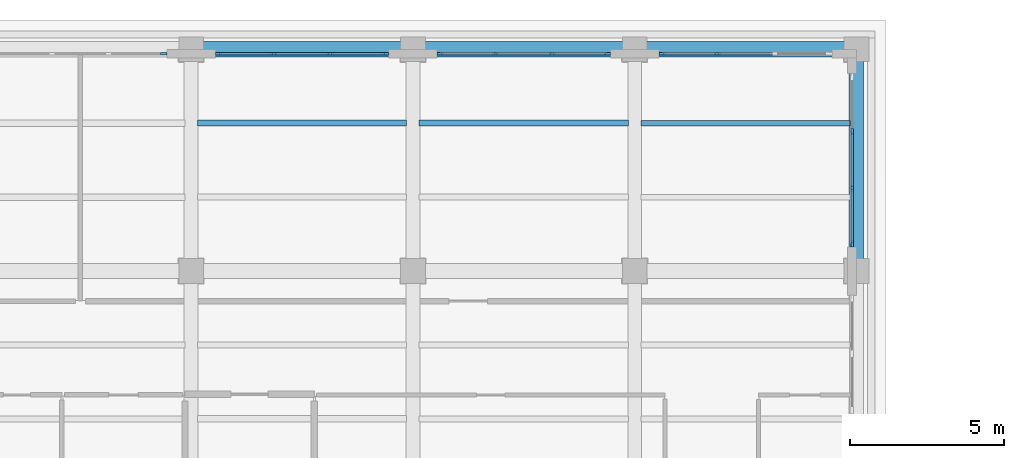
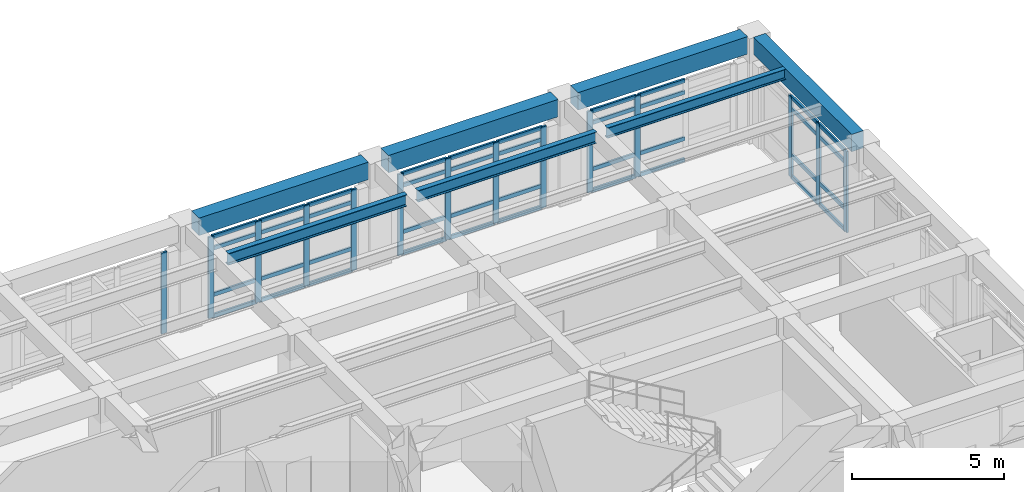
# One storey, part 62 of 98: 54 members, 7 beams, 5 elements without a shape of their own.
"""IFC4 building model written with IfcOpenShell, lengths in metres."""

from ifc_helpers import new_model, si_unit, direction, frame, origin, origin_2d, place, context, subcontext, project, spatial, rectangle, i_section, extrude, material, layer, layer_set, material_profile, profile_set, type_object, element, aggregate, save


model = new_model("IFC4")

# Units and contexts
model_context = context("Model", 3, precision=1e-05, world=origin(), true_north=direction((0.0, 1.0)))
body_context = subcontext(model_context, "Body", "Model", "MODEL_VIEW")
ifc_project = project(units=[si_unit("LENGTHUNIT", "METRE"), si_unit("AREAUNIT", "SQUARE_METRE"), si_unit("VOLUMEUNIT", "CUBIC_METRE"), si_unit("PLANEANGLEUNIT", "RADIAN"), si_unit("MASSUNIT", "GRAM", prefix="KILO")], contexts=[model_context])

# Site, building, storey
site_placement = place(None, origin())
site = spatial("IfcSite", under=ifc_project, at=site_placement, CompositionType="ELEMENT")
building_placement = place(site_placement, origin())
building = spatial("IfcBuilding", under=site, at=building_placement, Name="Solenvale Faculty of Natural Sciences", CompositionType="ELEMENT")
storey_placement = place(building_placement, frame((0.0, 0.0, 9.0)))
storey = spatial("IfcBuildingStorey", under=building, at=storey_placement, Name="L02", CompositionType="ELEMENT", Elevation=9.0)

# Beams
ifc_material_1 = material(Name="Concrete 40 MPa", Category="concrete")
ifc_material_profile_1 = material_profile(ifc_material_1, rectangle(XDim=0.449951171875, YDim=0.699951171875, at=origin_2d()), Name="RC-BM-450x700")
ifc_profile_set_1 = profile_set([ifc_material_profile_1], Name="Concrete 40 MPa")
beam_type_1 = type_object("IfcBeamType", Name="BM-RC-450x700", PredefinedType="BEAM", material=ifc_profile_set_1)
beam_1_placement = place(storey_placement, frame((151.199951171875, 108.3798828125, 3.8701171875), z_axis=(0.0, 1.0, 0.0), x_axis=(-1.0, 0.0, 0.0)))
element("IfcBeam", 1, at=beam_1_placement, inside=storey, type_object=beam_type_1, Name="L02 Y-Girder X151.2 (108.0..115.2)", PredefinedType="BEAM", context=body_context, shape_type="SweptSolid", body=[
    extrude(rectangle(XDim=0.449951171875, YDim=0.699951171875, at=origin_2d()), origin(), (0.0, 0.0, 1.0), 6.440185546875),
])
ifc_material_2 = material(Name="Precast concrete 40 MPa", Category="concrete")
ifc_material_profile_2 = material_profile(ifc_material_2, rectangle(XDim=0.5, YDim=0.699951171875, at=origin_2d()), Name="RC-BM-500x700")
ifc_profile_set_2 = profile_set([ifc_material_profile_2], Name="Precast concrete 40 MPa")
beam_type_2 = type_object("IfcBeamType", Name="BM-SPN-PRC-700", PredefinedType="SPANDREL", material=ifc_profile_set_2)
beam_2_placement = place(storey_placement, frame((129.97998046875, 115.199951171875, 3.8701171875), z_axis=(1.0, 0.0, 0.0), x_axis=(0.0, 1.0, 0.0)))
element("IfcBeam", 2, at=beam_2_placement, inside=storey, type_object=beam_type_2, Name="L02 X-Girder Y115.2 (129.6..136.8)", PredefinedType="SPANDREL", context=body_context, shape_type="SweptSolid", body=[
    extrude(rectangle(XDim=0.5, YDim=0.699951171875, at=origin_2d()), origin(), (0.0, 0.0, 1.0), 6.43994140625),
])
for number, where, z_axis, x_axis, name in (
    (3, (137.179931640625, 115.199951171875, 3.8701171875), (1.0, 0.0, 0.0), (0.0, 1.0, 0.0), "L02 X-Girder Y115.2 (136.8..144.0)"),
    (4, (144.3798828125, 115.199951171875, 3.8701171875), (1.0, 0.0, 0.0), (0.0, 1.0, 0.0), "L02 X-Girder Y115.2 (144.0..151.2)"),
):
    element("IfcBeam", number, at=place(storey_placement, frame(where, z_axis=z_axis, x_axis=x_axis)), inside=storey, type_object=beam_type_2, Name=name, PredefinedType="SPANDREL", context=body_context, shape_type="SweptSolid", body=[
        extrude(rectangle(XDim=0.5, YDim=0.699951171875, at=origin_2d()), origin(), (0.0, 0.0, 1.0), 6.440185546875),
    ])
ifc_material_3 = material(Name="Steel S355", Category="steel")
ifc_material_profile_3 = material_profile(ifc_material_3, i_section(OverallWidth=0.180908203125, OverallDepth=0.4169921875, WebThickness=0.010986328125, FlangeThickness=0.018310546875, FilletRadius=0.01611328125, at=origin_2d()), Name="W410x85")
ifc_profile_set_3 = profile_set([ifc_material_profile_3], Name="Steel S355")
beam_type_3 = type_object("IfcBeamType", Name="BM-STL-W410x85", PredefinedType="JOIST", material=ifc_profile_set_3)
beam_3_placement = place(storey_placement, frame((144.205078125, 112.800048828125, 4.011474609375), z_axis=(1.0, 0.0, 0.0), x_axis=(0.0, 1.0, 0.0)))
element("IfcBeam", 5, at=beam_3_placement, inside=storey, type_object=beam_type_3, Name="L02 Composite Floor Joist (21,16).2", PredefinedType="JOIST", context=body_context, shape_type="SweptSolid", body=[
    extrude(i_section(OverallWidth=0.180908203125, OverallDepth=0.4169921875, WebThickness=0.010986328125, FlangeThickness=0.018310546875, FilletRadius=0.01611328125, at=origin_2d()), origin(), (0.0, 0.0, 1.0), 6.7900390625),
])
ifc_material_profile_4 = material_profile(ifc_material_3, i_section(OverallWidth=0.194091796875, OverallDepth=0.468994140625, WebThickness=0.0126953125, FlangeThickness=0.0205078125, FilletRadius=0.01806640625, at=origin_2d()), Name="W460x106")
ifc_profile_set_4 = profile_set([ifc_material_profile_4], Name="Steel S355")
beam_type_4 = type_object("IfcBeamType", Name="BM-STL-W460x106", PredefinedType="JOIST", material=ifc_profile_set_4)
beam_4_placement = place(storey_placement, frame((129.804931640625, 112.800048828125, 3.985595703125), z_axis=(1.0, 0.0, 0.0), x_axis=(0.0, 1.0, 0.0)))
element("IfcBeam", 6, at=beam_4_placement, inside=storey, type_object=beam_type_4, Name="L02 Composite Floor Joist (19,16).2", PredefinedType="JOIST", context=body_context, shape_type="SweptSolid", body=[
    extrude(i_section(OverallWidth=0.194091796875, OverallDepth=0.468994140625, WebThickness=0.0126953125, FlangeThickness=0.0205078125, FilletRadius=0.01806640625, at=origin_2d()), origin(), (0.0, 0.0, 1.0), 6.7900390625),
])
ifc_material_profile_5 = material_profile(ifc_material_3, i_section(OverallWidth=0.19091796875, OverallDepth=0.4599609375, WebThickness=0.010009765625, FlangeThickness=0.01611328125, FilletRadius=0.01806640625, at=origin_2d()), Name="W460x82")
ifc_profile_set_5 = profile_set([ifc_material_profile_5], Name="Steel S355")
beam_type_5 = type_object("IfcBeamType", Name="BM-STL-W460x82", PredefinedType="JOIST", material=ifc_profile_set_5)
beam_5_placement = place(storey_placement, frame((137.0048828125, 112.800048828125, 3.989990234375), z_axis=(1.0, 0.0, 0.0), x_axis=(0.0, 1.0, 0.0)))
element("IfcBeam", 7, at=beam_5_placement, inside=storey, type_object=beam_type_5, Name="L02 Composite Floor Joist (20,16).2", PredefinedType="JOIST", context=body_context, shape_type="SweptSolid", body=[
    extrude(i_section(OverallWidth=0.19091796875, OverallDepth=0.4599609375, WebThickness=0.010009765625, FlangeThickness=0.01611328125, FilletRadius=0.01806640625, at=origin_2d()), origin(), (0.0, 0.0, 1.0), 6.7900390625),
])

# Curtain wall, members
ifc_material_4 = material(Name="Anodised bronze aluminium", Category="aluminium")
ifc_layer = layer(ifc_material_4, 0.179931640625)
ifc_layer_set = layer_set([ifc_layer], Name="Anodised bronze aluminium")
curtain_wall_type = type_object("IfcCurtainWallType", Name="CW-TWR-MOD", PredefinedType="USERDEFINED", material=ifc_layer_set)
curtain_wall_1_placement = place(storey_placement, origin())
curtain_wall_1 = element("IfcCurtainWall", 8, at=curtain_wall_1_placement, inside=storey, type_object=curtain_wall_type, Name="L02 Curtain Wall CW-L02-P2-E3-B3", ObjectType="UNITISED CURTAIN WALL", PredefinedType="USERDEFINED")
ifc_material_profile_6 = material_profile(ifc_material_4, rectangle(XDim=0.074951171875, YDim=0.2099609375, at=origin_2d()), Name="ALU-MUL-75x210")
ifc_profile_set_6 = profile_set([ifc_material_profile_6], Name="Anodised bronze aluminium")
member_type_1 = type_object("IfcMemberType", Name="CWM-ALU-75x210", PredefinedType="MULLION", material=ifc_profile_set_6)
member_1_placement = place(storey_placement, frame((151.0576171875, 108.887451171875, 0.0), z_axis=(0.0, 0.0, 1.0), x_axis=(-1.0, 0.0, 0.0)))
member_1 = element("IfcMember", 9, at=member_1_placement, type_object=member_type_1, Name="CW-04 mullion 1", PredefinedType="MULLION", context=body_context, shape_type="SweptSolid", body=[
    extrude(rectangle(XDim=0.074951171875, YDim=0.2099609375, at=origin_2d()), origin(), (0.0, 0.0, 1.0), 3.260009765625),
])
member_2_placement = place(storey_placement, frame((151.0576171875, 110.683349609375, 0.0), z_axis=(0.0, 0.0, 1.0), x_axis=(-1.0, 0.0, 0.0)))
member_2 = element("IfcMember", 10, at=member_2_placement, type_object=member_type_1, Name="CW-04 mullion 2", PredefinedType="MULLION", context=body_context, shape_type="SweptSolid", body=[
    extrude(rectangle(XDim=0.074951171875, YDim=0.2099609375, at=origin_2d()), origin(), (0.0, 0.0, 1.0), 3.260009765625),
])
member_3_placement = place(storey_placement, frame((151.0576171875, 112.5166015625, 0.0), z_axis=(0.0, 0.0, 1.0), x_axis=(-1.0, 0.0, 0.0)))
member_3 = element("IfcMember", 11, at=member_3_placement, type_object=member_type_1, Name="CW-04 mullion 3", PredefinedType="MULLION", context=body_context, shape_type="SweptSolid", body=[
    extrude(rectangle(XDim=0.074951171875, YDim=0.2099609375, at=origin_2d()), origin(), (0.0, 0.0, 1.0), 3.260009765625),
])

curtain_wall_2_placement = place(storey_placement, origin())
curtain_wall_2 = element("IfcCurtainWall", 12, at=curtain_wall_2_placement, inside=storey, type_object=curtain_wall_type, Name="L02 Curtain Wall CW-L02-P2-E4-B1", ObjectType="UNITISED CURTAIN WALL", PredefinedType="USERDEFINED")
member_4_placement = place(storey_placement, frame((146.683349609375, 115.0576171875, 0.0), z_axis=(0.0, 0.0, 1.0), x_axis=(0.0, -1.0, 0.0)))
member_4 = element("IfcMember", 13, at=member_4_placement, type_object=member_type_1, Name="CW-04 mullion 3", PredefinedType="MULLION", context=body_context, shape_type="SweptSolid", body=[
    extrude(rectangle(XDim=0.074951171875, YDim=0.2099609375, at=origin_2d()), origin(), (0.0, 0.0, 1.0), 3.260009765625),
])
member_5_placement = place(storey_placement, frame((144.887451171875, 115.0576171875, 0.0), z_axis=(0.0, 0.0, 1.0), x_axis=(0.0, -1.0, 0.0)))
member_5 = element("IfcMember", 14, at=member_5_placement, type_object=member_type_1, Name="CW-04 mullion 4", PredefinedType="MULLION", context=body_context, shape_type="SweptSolid", body=[
    extrude(rectangle(XDim=0.074951171875, YDim=0.2099609375, at=origin_2d()), origin(), (0.0, 0.0, 1.0), 3.260009765625),
])

curtain_wall_3_placement = place(storey_placement, origin())
curtain_wall_3 = element("IfcCurtainWall", 15, at=curtain_wall_3_placement, inside=storey, type_object=curtain_wall_type, Name="L02 Curtain Wall CW-L02-P2-E4-B2", ObjectType="UNITISED CURTAIN WALL", PredefinedType="USERDEFINED")
member_6_placement = place(storey_placement, frame((143.112548828125, 115.0576171875, 0.0), z_axis=(0.0, 0.0, 1.0), x_axis=(0.0, -1.0, 0.0)))
member_6 = element("IfcMember", 16, at=member_6_placement, type_object=member_type_1, Name="CW-04 mullion 1", PredefinedType="MULLION", context=body_context, shape_type="SweptSolid", body=[
    extrude(rectangle(XDim=0.074951171875, YDim=0.2099609375, at=origin_2d()), origin(), (0.0, 0.0, 1.0), 3.260009765625),
])
member_7_placement = place(storey_placement, frame((141.316650390625, 115.0576171875, 0.0), z_axis=(0.0, 0.0, 1.0), x_axis=(0.0, -1.0, 0.0)))
member_7 = element("IfcMember", 17, at=member_7_placement, type_object=member_type_1, Name="CW-04 mullion 2", PredefinedType="MULLION", context=body_context, shape_type="SweptSolid", body=[
    extrude(rectangle(XDim=0.074951171875, YDim=0.2099609375, at=origin_2d()), origin(), (0.0, 0.0, 1.0), 3.260009765625),
])
member_8_placement = place(storey_placement, frame((139.4833984375, 115.0576171875, 0.0), z_axis=(0.0, 0.0, 1.0), x_axis=(0.0, -1.0, 0.0)))
member_8 = element("IfcMember", 18, at=member_8_placement, type_object=member_type_1, Name="CW-04 mullion 3", PredefinedType="MULLION", context=body_context, shape_type="SweptSolid", body=[
    extrude(rectangle(XDim=0.074951171875, YDim=0.2099609375, at=origin_2d()), origin(), (0.0, 0.0, 1.0), 3.260009765625),
])
member_9_placement = place(storey_placement, frame((137.6875, 115.0576171875, 0.0), z_axis=(0.0, 0.0, 1.0), x_axis=(0.0, -1.0, 0.0)))
member_9 = element("IfcMember", 19, at=member_9_placement, type_object=member_type_1, Name="CW-04 mullion 4", PredefinedType="MULLION", context=body_context, shape_type="SweptSolid", body=[
    extrude(rectangle(XDim=0.074951171875, YDim=0.2099609375, at=origin_2d()), origin(), (0.0, 0.0, 1.0), 3.260009765625),
])

curtain_wall_4_placement = place(storey_placement, origin())
curtain_wall_4 = element("IfcCurtainWall", 20, at=curtain_wall_4_placement, inside=storey, type_object=curtain_wall_type, Name="L02 Curtain Wall CW-L02-P2-E4-B3", ObjectType="UNITISED CURTAIN WALL", PredefinedType="USERDEFINED")
member_10_placement = place(storey_placement, frame((135.91259765625, 115.0576171875, 0.0), z_axis=(0.0, 0.0, 1.0), x_axis=(0.0, -1.0, 0.0)))
member_10 = element("IfcMember", 21, at=member_10_placement, type_object=member_type_1, Name="CW-04 mullion 1", PredefinedType="MULLION", context=body_context, shape_type="SweptSolid", body=[
    extrude(rectangle(XDim=0.074951171875, YDim=0.2099609375, at=origin_2d()), origin(), (0.0, 0.0, 1.0), 3.260009765625),
])
member_11_placement = place(storey_placement, frame((134.11669921875, 115.0576171875, 0.0), z_axis=(0.0, 0.0, 1.0), x_axis=(0.0, -1.0, 0.0)))
member_11 = element("IfcMember", 22, at=member_11_placement, type_object=member_type_1, Name="CW-04 mullion 2", PredefinedType="MULLION", context=body_context, shape_type="SweptSolid", body=[
    extrude(rectangle(XDim=0.074951171875, YDim=0.2099609375, at=origin_2d()), origin(), (0.0, 0.0, 1.0), 3.260009765625),
])
member_12_placement = place(storey_placement, frame((132.283447265625, 115.0576171875, 0.0), z_axis=(0.0, 0.0, 1.0), x_axis=(0.0, -1.0, 0.0)))
member_12 = element("IfcMember", 23, at=member_12_placement, type_object=member_type_1, Name="CW-04 mullion 3", PredefinedType="MULLION", context=body_context, shape_type="SweptSolid", body=[
    extrude(rectangle(XDim=0.074951171875, YDim=0.2099609375, at=origin_2d()), origin(), (0.0, 0.0, 1.0), 3.260009765625),
])
member_13_placement = place(storey_placement, frame((130.487548828125, 115.0576171875, 0.0), z_axis=(0.0, 0.0, 1.0), x_axis=(0.0, -1.0, 0.0)))
member_13 = element("IfcMember", 24, at=member_13_placement, type_object=member_type_1, Name="CW-04 mullion 4", PredefinedType="MULLION", context=body_context, shape_type="SweptSolid", body=[
    extrude(rectangle(XDim=0.074951171875, YDim=0.2099609375, at=origin_2d()), origin(), (0.0, 0.0, 1.0), 3.260009765625),
])

# Curtain wall, member
curtain_wall_5_placement = place(storey_placement, origin())
curtain_wall_5 = element("IfcCurtainWall", 25, at=curtain_wall_5_placement, inside=storey, type_object=curtain_wall_type, Name="L02 Curtain Wall CW-L02-P2-E4-B4", ObjectType="UNITISED CURTAIN WALL", PredefinedType="USERDEFINED")
member_14_placement = place(storey_placement, frame((128.71240234375, 115.0576171875, 0.0), z_axis=(0.0, 0.0, 1.0), x_axis=(0.0, -1.0, 0.0)))
member_14 = element("IfcMember", 26, at=member_14_placement, type_object=member_type_1, Name="CW-04 mullion 1", PredefinedType="MULLION", context=body_context, shape_type="SweptSolid", body=[
    extrude(rectangle(XDim=0.074951171875, YDim=0.2099609375, at=origin_2d()), origin(), (0.0, 0.0, 1.0), 3.260009765625),
])
aggregate(curtain_wall_5, [member_14])

# Member
ifc_material_profile_7 = material_profile(ifc_material_4, rectangle(XDim=0.074951171875, YDim=0.155029296875, at=origin_2d()), Name="ALU-TRN-75x155")
ifc_profile_set_7 = profile_set([ifc_material_profile_7], Name="Anodised bronze aluminium")
member_type_2 = type_object("IfcMemberType", Name="CWT-ALU-75x155", PredefinedType="USERDEFINED", material=ifc_profile_set_7)
member_15_placement = place(storey_placement, frame((151.0576171875, 108.925048828125, 0.03759765625), z_axis=(0.0, 1.0, 0.0), x_axis=(-1.0, 0.0, 0.0)))
member_15 = element("IfcMember", 27, at=member_15_placement, type_object=member_type_2, Name="CW-04 transom 1.1", ObjectType="TRANSOM", PredefinedType="USERDEFINED", context=body_context, shape_type="SweptSolid", body=[
    extrude(rectangle(XDim=0.074951171875, YDim=0.155029296875, at=origin_2d()), origin(), (0.0, 0.0, 1.0), 1.720703125),
])

member_16_placement = place(storey_placement, frame((151.0576171875, 108.925048828125, 0.89990234375), z_axis=(0.0, 1.0, 0.0), x_axis=(-1.0, 0.0, 0.0)))
member_16 = element("IfcMember", 28, at=member_16_placement, type_object=member_type_2, Name="CW-04 transom 1.2", ObjectType="TRANSOM", PredefinedType="USERDEFINED", context=body_context, shape_type="SweptSolid", body=[
    extrude(rectangle(XDim=0.074951171875, YDim=0.155029296875, at=origin_2d()), origin(), (0.0, 0.0, 1.0), 1.720703125),
])

member_17_placement = place(storey_placement, frame((151.0576171875, 108.925048828125, 2.760009765625), z_axis=(0.0, 1.0, 0.0), x_axis=(-1.0, 0.0, 0.0)))
member_17 = element("IfcMember", 29, at=member_17_placement, type_object=member_type_2, Name="CW-04 transom 1.3", ObjectType="TRANSOM", PredefinedType="USERDEFINED", context=body_context, shape_type="SweptSolid", body=[
    extrude(rectangle(XDim=0.074951171875, YDim=0.155029296875, at=origin_2d()), origin(), (0.0, 0.0, 1.0), 1.720703125),
])

member_18_placement = place(storey_placement, frame((151.0576171875, 108.925048828125, 3.222412109375), z_axis=(0.0, 1.0, 0.0), x_axis=(-1.0, 0.0, 0.0)))
member_18 = element("IfcMember", 30, at=member_18_placement, type_object=member_type_2, Name="CW-04 transom 1.4", ObjectType="TRANSOM", PredefinedType="USERDEFINED", context=body_context, shape_type="SweptSolid", body=[
    extrude(rectangle(XDim=0.074951171875, YDim=0.155029296875, at=origin_2d()), origin(), (0.0, 0.0, 1.0), 1.720703125),
])

member_19_placement = place(storey_placement, frame((151.0576171875, 110.720947265625, 0.03759765625), z_axis=(0.0, 1.0, 0.0), x_axis=(-1.0, 0.0, 0.0)))
member_19 = element("IfcMember", 31, at=member_19_placement, type_object=member_type_2, Name="CW-04 transom 2.1", ObjectType="TRANSOM", PredefinedType="USERDEFINED", context=body_context, shape_type="SweptSolid", body=[
    extrude(rectangle(XDim=0.074951171875, YDim=0.155029296875, at=origin_2d()), origin(), (0.0, 0.0, 1.0), 1.75830078125),
])

member_20_placement = place(storey_placement, frame((151.0576171875, 110.720947265625, 0.89990234375), z_axis=(0.0, 1.0, 0.0), x_axis=(-1.0, 0.0, 0.0)))
member_20 = element("IfcMember", 32, at=member_20_placement, type_object=member_type_2, Name="CW-04 transom 2.2", ObjectType="TRANSOM", PredefinedType="USERDEFINED", context=body_context, shape_type="SweptSolid", body=[
    extrude(rectangle(XDim=0.074951171875, YDim=0.155029296875, at=origin_2d()), origin(), (0.0, 0.0, 1.0), 1.75830078125),
])

member_21_placement = place(storey_placement, frame((151.0576171875, 110.720947265625, 2.760009765625), z_axis=(0.0, 1.0, 0.0), x_axis=(-1.0, 0.0, 0.0)))
member_21 = element("IfcMember", 33, at=member_21_placement, type_object=member_type_2, Name="CW-04 transom 2.3", ObjectType="TRANSOM", PredefinedType="USERDEFINED", context=body_context, shape_type="SweptSolid", body=[
    extrude(rectangle(XDim=0.074951171875, YDim=0.155029296875, at=origin_2d()), origin(), (0.0, 0.0, 1.0), 1.75830078125),
])

member_22_placement = place(storey_placement, frame((151.0576171875, 110.720947265625, 3.222412109375), z_axis=(0.0, 1.0, 0.0), x_axis=(-1.0, 0.0, 0.0)))
member_22 = element("IfcMember", 34, at=member_22_placement, type_object=member_type_2, Name="CW-04 transom 2.4", ObjectType="TRANSOM", PredefinedType="USERDEFINED", context=body_context, shape_type="SweptSolid", body=[
    extrude(rectangle(XDim=0.074951171875, YDim=0.155029296875, at=origin_2d()), origin(), (0.0, 0.0, 1.0), 1.75830078125),
])

aggregate(curtain_wall_1, [member_1, member_2, member_3, member_15, member_16, member_17, member_18, member_19, member_20, member_21, member_22])

member_23_placement = place(storey_placement, frame((148.479248046875, 115.0576171875, 0.03759765625), z_axis=(-1.0, 0.0, 0.0), x_axis=(0.0, -1.0, 0.0)))
member_23 = element("IfcMember", 35, at=member_23_placement, type_object=member_type_2, Name="CW-04 transom 2.1", ObjectType="TRANSOM", PredefinedType="USERDEFINED", context=body_context, shape_type="SweptSolid", body=[
    extrude(rectangle(XDim=0.074951171875, YDim=0.155029296875, at=origin_2d()), origin(), (0.0, 0.0, 1.0), 1.75830078125),
])

member_24_placement = place(storey_placement, frame((148.479248046875, 115.0576171875, 0.89990234375), z_axis=(-1.0, 0.0, 0.0), x_axis=(0.0, -1.0, 0.0)))
member_24 = element("IfcMember", 36, at=member_24_placement, type_object=member_type_2, Name="CW-04 transom 2.2", ObjectType="TRANSOM", PredefinedType="USERDEFINED", context=body_context, shape_type="SweptSolid", body=[
    extrude(rectangle(XDim=0.074951171875, YDim=0.155029296875, at=origin_2d()), origin(), (0.0, 0.0, 1.0), 1.75830078125),
])

member_25_placement = place(storey_placement, frame((148.479248046875, 115.0576171875, 2.760009765625), z_axis=(-1.0, 0.0, 0.0), x_axis=(0.0, -1.0, 0.0)))
member_25 = element("IfcMember", 37, at=member_25_placement, type_object=member_type_2, Name="CW-04 transom 2.3", ObjectType="TRANSOM", PredefinedType="USERDEFINED", context=body_context, shape_type="SweptSolid", body=[
    extrude(rectangle(XDim=0.074951171875, YDim=0.155029296875, at=origin_2d()), origin(), (0.0, 0.0, 1.0), 1.75830078125),
])

member_26_placement = place(storey_placement, frame((148.479248046875, 115.0576171875, 3.222412109375), z_axis=(-1.0, 0.0, 0.0), x_axis=(0.0, -1.0, 0.0)))
member_26 = element("IfcMember", 38, at=member_26_placement, type_object=member_type_2, Name="CW-04 transom 2.4", ObjectType="TRANSOM", PredefinedType="USERDEFINED", context=body_context, shape_type="SweptSolid", body=[
    extrude(rectangle(XDim=0.074951171875, YDim=0.155029296875, at=origin_2d()), origin(), (0.0, 0.0, 1.0), 1.75830078125),
])

member_27_placement = place(storey_placement, frame((146.645751953125, 115.0576171875, 0.03759765625), z_axis=(-1.0, 0.0, 0.0), x_axis=(0.0, -1.0, 0.0)))
member_27 = element("IfcMember", 39, at=member_27_placement, type_object=member_type_2, Name="CW-04 transom 3.1", ObjectType="TRANSOM", PredefinedType="USERDEFINED", context=body_context, shape_type="SweptSolid", body=[
    extrude(rectangle(XDim=0.074951171875, YDim=0.155029296875, at=origin_2d()), origin(), (0.0, 0.0, 1.0), 1.720703125),
])

member_28_placement = place(storey_placement, frame((146.645751953125, 115.0576171875, 0.89990234375), z_axis=(-1.0, 0.0, 0.0), x_axis=(0.0, -1.0, 0.0)))
member_28 = element("IfcMember", 40, at=member_28_placement, type_object=member_type_2, Name="CW-04 transom 3.2", ObjectType="TRANSOM", PredefinedType="USERDEFINED", context=body_context, shape_type="SweptSolid", body=[
    extrude(rectangle(XDim=0.074951171875, YDim=0.155029296875, at=origin_2d()), origin(), (0.0, 0.0, 1.0), 1.720703125),
])

member_29_placement = place(storey_placement, frame((146.645751953125, 115.0576171875, 2.760009765625), z_axis=(-1.0, 0.0, 0.0), x_axis=(0.0, -1.0, 0.0)))
member_29 = element("IfcMember", 41, at=member_29_placement, type_object=member_type_2, Name="CW-04 transom 3.3", ObjectType="TRANSOM", PredefinedType="USERDEFINED", context=body_context, shape_type="SweptSolid", body=[
    extrude(rectangle(XDim=0.074951171875, YDim=0.155029296875, at=origin_2d()), origin(), (0.0, 0.0, 1.0), 1.720703125),
])

member_30_placement = place(storey_placement, frame((146.645751953125, 115.0576171875, 3.222412109375), z_axis=(-1.0, 0.0, 0.0), x_axis=(0.0, -1.0, 0.0)))
member_30 = element("IfcMember", 42, at=member_30_placement, type_object=member_type_2, Name="CW-04 transom 3.4", ObjectType="TRANSOM", PredefinedType="USERDEFINED", context=body_context, shape_type="SweptSolid", body=[
    extrude(rectangle(XDim=0.074951171875, YDim=0.155029296875, at=origin_2d()), origin(), (0.0, 0.0, 1.0), 1.720703125),
])

aggregate(curtain_wall_2, [member_4, member_5, member_23, member_24, member_25, member_26, member_27, member_28, member_29, member_30])

member_31_placement = place(storey_placement, frame((143.074951171875, 115.0576171875, 0.03759765625), z_axis=(-1.0, 0.0, 0.0), x_axis=(0.0, -1.0, 0.0)))
member_31 = element("IfcMember", 43, at=member_31_placement, type_object=member_type_2, Name="CW-04 transom 1.1", ObjectType="TRANSOM", PredefinedType="USERDEFINED", context=body_context, shape_type="SweptSolid", body=[
    extrude(rectangle(XDim=0.074951171875, YDim=0.155029296875, at=origin_2d()), origin(), (0.0, 0.0, 1.0), 1.720703125),
])

member_32_placement = place(storey_placement, frame((143.074951171875, 115.0576171875, 0.89990234375), z_axis=(-1.0, 0.0, 0.0), x_axis=(0.0, -1.0, 0.0)))
member_32 = element("IfcMember", 44, at=member_32_placement, type_object=member_type_2, Name="CW-04 transom 1.2", ObjectType="TRANSOM", PredefinedType="USERDEFINED", context=body_context, shape_type="SweptSolid", body=[
    extrude(rectangle(XDim=0.074951171875, YDim=0.155029296875, at=origin_2d()), origin(), (0.0, 0.0, 1.0), 1.720703125),
])

member_33_placement = place(storey_placement, frame((143.074951171875, 115.0576171875, 2.760009765625), z_axis=(-1.0, 0.0, 0.0), x_axis=(0.0, -1.0, 0.0)))
member_33 = element("IfcMember", 45, at=member_33_placement, type_object=member_type_2, Name="CW-04 transom 1.3", ObjectType="TRANSOM", PredefinedType="USERDEFINED", context=body_context, shape_type="SweptSolid", body=[
    extrude(rectangle(XDim=0.074951171875, YDim=0.155029296875, at=origin_2d()), origin(), (0.0, 0.0, 1.0), 1.720703125),
])

member_34_placement = place(storey_placement, frame((143.074951171875, 115.0576171875, 3.222412109375), z_axis=(-1.0, 0.0, 0.0), x_axis=(0.0, -1.0, 0.0)))
member_34 = element("IfcMember", 46, at=member_34_placement, type_object=member_type_2, Name="CW-04 transom 1.4", ObjectType="TRANSOM", PredefinedType="USERDEFINED", context=body_context, shape_type="SweptSolid", body=[
    extrude(rectangle(XDim=0.074951171875, YDim=0.155029296875, at=origin_2d()), origin(), (0.0, 0.0, 1.0), 1.720703125),
])

member_35_placement = place(storey_placement, frame((141.279052734375, 115.0576171875, 0.03759765625), z_axis=(-1.0, 0.0, 0.0), x_axis=(0.0, -1.0, 0.0)))
member_35 = element("IfcMember", 47, at=member_35_placement, type_object=member_type_2, Name="CW-04 transom 2.1", ObjectType="TRANSOM", PredefinedType="USERDEFINED", context=body_context, shape_type="SweptSolid", body=[
    extrude(rectangle(XDim=0.074951171875, YDim=0.155029296875, at=origin_2d()), origin(), (0.0, 0.0, 1.0), 1.75830078125),
])

member_36_placement = place(storey_placement, frame((141.279052734375, 115.0576171875, 0.89990234375), z_axis=(-1.0, 0.0, 0.0), x_axis=(0.0, -1.0, 0.0)))
member_36 = element("IfcMember", 48, at=member_36_placement, type_object=member_type_2, Name="CW-04 transom 2.2", ObjectType="TRANSOM", PredefinedType="USERDEFINED", context=body_context, shape_type="SweptSolid", body=[
    extrude(rectangle(XDim=0.074951171875, YDim=0.155029296875, at=origin_2d()), origin(), (0.0, 0.0, 1.0), 1.75830078125),
])

member_37_placement = place(storey_placement, frame((141.279052734375, 115.0576171875, 2.760009765625), z_axis=(-1.0, 0.0, 0.0), x_axis=(0.0, -1.0, 0.0)))
member_37 = element("IfcMember", 49, at=member_37_placement, type_object=member_type_2, Name="CW-04 transom 2.3", ObjectType="TRANSOM", PredefinedType="USERDEFINED", context=body_context, shape_type="SweptSolid", body=[
    extrude(rectangle(XDim=0.074951171875, YDim=0.155029296875, at=origin_2d()), origin(), (0.0, 0.0, 1.0), 1.75830078125),
])

member_38_placement = place(storey_placement, frame((141.279052734375, 115.0576171875, 3.222412109375), z_axis=(-1.0, 0.0, 0.0), x_axis=(0.0, -1.0, 0.0)))
member_38 = element("IfcMember", 50, at=member_38_placement, type_object=member_type_2, Name="CW-04 transom 2.4", ObjectType="TRANSOM", PredefinedType="USERDEFINED", context=body_context, shape_type="SweptSolid", body=[
    extrude(rectangle(XDim=0.074951171875, YDim=0.155029296875, at=origin_2d()), origin(), (0.0, 0.0, 1.0), 1.75830078125),
])

member_39_placement = place(storey_placement, frame((139.44580078125, 115.0576171875, 0.03759765625), z_axis=(-1.0, 0.0, 0.0), x_axis=(0.0, -1.0, 0.0)))
member_39 = element("IfcMember", 51, at=member_39_placement, type_object=member_type_2, Name="CW-04 transom 3.1", ObjectType="TRANSOM", PredefinedType="USERDEFINED", context=body_context, shape_type="SweptSolid", body=[
    extrude(rectangle(XDim=0.074951171875, YDim=0.155029296875, at=origin_2d()), origin(), (0.0, 0.0, 1.0), 1.720703125),
])

member_40_placement = place(storey_placement, frame((139.44580078125, 115.0576171875, 0.89990234375), z_axis=(-1.0, 0.0, 0.0), x_axis=(0.0, -1.0, 0.0)))
member_40 = element("IfcMember", 52, at=member_40_placement, type_object=member_type_2, Name="CW-04 transom 3.2", ObjectType="TRANSOM", PredefinedType="USERDEFINED", context=body_context, shape_type="SweptSolid", body=[
    extrude(rectangle(XDim=0.074951171875, YDim=0.155029296875, at=origin_2d()), origin(), (0.0, 0.0, 1.0), 1.720703125),
])

member_41_placement = place(storey_placement, frame((139.44580078125, 115.0576171875, 2.760009765625), z_axis=(-1.0, 0.0, 0.0), x_axis=(0.0, -1.0, 0.0)))
member_41 = element("IfcMember", 53, at=member_41_placement, type_object=member_type_2, Name="CW-04 transom 3.3", ObjectType="TRANSOM", PredefinedType="USERDEFINED", context=body_context, shape_type="SweptSolid", body=[
    extrude(rectangle(XDim=0.074951171875, YDim=0.155029296875, at=origin_2d()), origin(), (0.0, 0.0, 1.0), 1.720703125),
])

member_42_placement = place(storey_placement, frame((139.44580078125, 115.0576171875, 3.222412109375), z_axis=(-1.0, 0.0, 0.0), x_axis=(0.0, -1.0, 0.0)))
member_42 = element("IfcMember", 54, at=member_42_placement, type_object=member_type_2, Name="CW-04 transom 3.4", ObjectType="TRANSOM", PredefinedType="USERDEFINED", context=body_context, shape_type="SweptSolid", body=[
    extrude(rectangle(XDim=0.074951171875, YDim=0.155029296875, at=origin_2d()), origin(), (0.0, 0.0, 1.0), 1.720703125),
])

aggregate(curtain_wall_3, [member_6, member_7, member_8, member_9, member_31, member_32, member_33, member_34, member_35, member_36, member_37, member_38, member_39, member_40, member_41, member_42])

member_43_placement = place(storey_placement, frame((135.875, 115.0576171875, 0.03759765625), z_axis=(-1.0, 0.0, 0.0), x_axis=(0.0, -1.0, 0.0)))
member_43 = element("IfcMember", 55, at=member_43_placement, type_object=member_type_2, Name="CW-04 transom 1.1", ObjectType="TRANSOM", PredefinedType="USERDEFINED", context=body_context, shape_type="SweptSolid", body=[
    extrude(rectangle(XDim=0.074951171875, YDim=0.155029296875, at=origin_2d()), origin(), (0.0, 0.0, 1.0), 1.720947265625),
])

member_44_placement = place(storey_placement, frame((135.875, 115.0576171875, 0.89990234375), z_axis=(-1.0, 0.0, 0.0), x_axis=(0.0, -1.0, 0.0)))
member_44 = element("IfcMember", 56, at=member_44_placement, type_object=member_type_2, Name="CW-04 transom 1.2", ObjectType="TRANSOM", PredefinedType="USERDEFINED", context=body_context, shape_type="SweptSolid", body=[
    extrude(rectangle(XDim=0.074951171875, YDim=0.155029296875, at=origin_2d()), origin(), (0.0, 0.0, 1.0), 1.720947265625),
])

member_45_placement = place(storey_placement, frame((135.875, 115.0576171875, 2.760009765625), z_axis=(-1.0, 0.0, 0.0), x_axis=(0.0, -1.0, 0.0)))
member_45 = element("IfcMember", 57, at=member_45_placement, type_object=member_type_2, Name="CW-04 transom 1.3", ObjectType="TRANSOM", PredefinedType="USERDEFINED", context=body_context, shape_type="SweptSolid", body=[
    extrude(rectangle(XDim=0.074951171875, YDim=0.155029296875, at=origin_2d()), origin(), (0.0, 0.0, 1.0), 1.720947265625),
])

member_46_placement = place(storey_placement, frame((135.875, 115.0576171875, 3.222412109375), z_axis=(-1.0, 0.0, 0.0), x_axis=(0.0, -1.0, 0.0)))
member_46 = element("IfcMember", 58, at=member_46_placement, type_object=member_type_2, Name="CW-04 transom 1.4", ObjectType="TRANSOM", PredefinedType="USERDEFINED", context=body_context, shape_type="SweptSolid", body=[
    extrude(rectangle(XDim=0.074951171875, YDim=0.155029296875, at=origin_2d()), origin(), (0.0, 0.0, 1.0), 1.720947265625),
])

member_47_placement = place(storey_placement, frame((134.0791015625, 115.0576171875, 0.03759765625), z_axis=(-1.0, 0.0, 0.0), x_axis=(0.0, -1.0, 0.0)))
member_47 = element("IfcMember", 59, at=member_47_placement, type_object=member_type_2, Name="CW-04 transom 2.1", ObjectType="TRANSOM", PredefinedType="USERDEFINED", context=body_context, shape_type="SweptSolid", body=[
    extrude(rectangle(XDim=0.074951171875, YDim=0.155029296875, at=origin_2d()), origin(), (0.0, 0.0, 1.0), 1.75830078125),
])

member_48_placement = place(storey_placement, frame((134.0791015625, 115.0576171875, 0.89990234375), z_axis=(-1.0, 0.0, 0.0), x_axis=(0.0, -1.0, 0.0)))
member_48 = element("IfcMember", 60, at=member_48_placement, type_object=member_type_2, Name="CW-04 transom 2.2", ObjectType="TRANSOM", PredefinedType="USERDEFINED", context=body_context, shape_type="SweptSolid", body=[
    extrude(rectangle(XDim=0.074951171875, YDim=0.155029296875, at=origin_2d()), origin(), (0.0, 0.0, 1.0), 1.75830078125),
])

member_49_placement = place(storey_placement, frame((134.0791015625, 115.0576171875, 2.760009765625), z_axis=(-1.0, 0.0, 0.0), x_axis=(0.0, -1.0, 0.0)))
member_49 = element("IfcMember", 61, at=member_49_placement, type_object=member_type_2, Name="CW-04 transom 2.3", ObjectType="TRANSOM", PredefinedType="USERDEFINED", context=body_context, shape_type="SweptSolid", body=[
    extrude(rectangle(XDim=0.074951171875, YDim=0.155029296875, at=origin_2d()), origin(), (0.0, 0.0, 1.0), 1.75830078125),
])

member_50_placement = place(storey_placement, frame((134.0791015625, 115.0576171875, 3.222412109375), z_axis=(-1.0, 0.0, 0.0), x_axis=(0.0, -1.0, 0.0)))
member_50 = element("IfcMember", 62, at=member_50_placement, type_object=member_type_2, Name="CW-04 transom 2.4", ObjectType="TRANSOM", PredefinedType="USERDEFINED", context=body_context, shape_type="SweptSolid", body=[
    extrude(rectangle(XDim=0.074951171875, YDim=0.155029296875, at=origin_2d()), origin(), (0.0, 0.0, 1.0), 1.75830078125),
])

member_51_placement = place(storey_placement, frame((132.245849609375, 115.0576171875, 0.03759765625), z_axis=(-1.0, 0.0, 0.0), x_axis=(0.0, -1.0, 0.0)))
member_51 = element("IfcMember", 63, at=member_51_placement, type_object=member_type_2, Name="CW-04 transom 3.1", ObjectType="TRANSOM", PredefinedType="USERDEFINED", context=body_context, shape_type="SweptSolid", body=[
    extrude(rectangle(XDim=0.074951171875, YDim=0.155029296875, at=origin_2d()), origin(), (0.0, 0.0, 1.0), 1.720947265625),
])

member_52_placement = place(storey_placement, frame((132.245849609375, 115.0576171875, 0.89990234375), z_axis=(-1.0, 0.0, 0.0), x_axis=(0.0, -1.0, 0.0)))
member_52 = element("IfcMember", 64, at=member_52_placement, type_object=member_type_2, Name="CW-04 transom 3.2", ObjectType="TRANSOM", PredefinedType="USERDEFINED", context=body_context, shape_type="SweptSolid", body=[
    extrude(rectangle(XDim=0.074951171875, YDim=0.155029296875, at=origin_2d()), origin(), (0.0, 0.0, 1.0), 1.720947265625),
])

member_53_placement = place(storey_placement, frame((132.245849609375, 115.0576171875, 2.760009765625), z_axis=(-1.0, 0.0, 0.0), x_axis=(0.0, -1.0, 0.0)))
member_53 = element("IfcMember", 65, at=member_53_placement, type_object=member_type_2, Name="CW-04 transom 3.3", ObjectType="TRANSOM", PredefinedType="USERDEFINED", context=body_context, shape_type="SweptSolid", body=[
    extrude(rectangle(XDim=0.074951171875, YDim=0.155029296875, at=origin_2d()), origin(), (0.0, 0.0, 1.0), 1.720947265625),
])

member_54_placement = place(storey_placement, frame((132.245849609375, 115.0576171875, 3.222412109375), z_axis=(-1.0, 0.0, 0.0), x_axis=(0.0, -1.0, 0.0)))
member_54 = element("IfcMember", 66, at=member_54_placement, type_object=member_type_2, Name="CW-04 transom 3.4", ObjectType="TRANSOM", PredefinedType="USERDEFINED", context=body_context, shape_type="SweptSolid", body=[
    extrude(rectangle(XDim=0.074951171875, YDim=0.155029296875, at=origin_2d()), origin(), (0.0, 0.0, 1.0), 1.720947265625),
])

aggregate(curtain_wall_4, [member_10, member_11, member_12, member_13, member_43, member_44, member_45, member_46, member_47, member_48, member_49, member_50, member_51, member_52, member_53, member_54])

save(model, "model.ifc")
